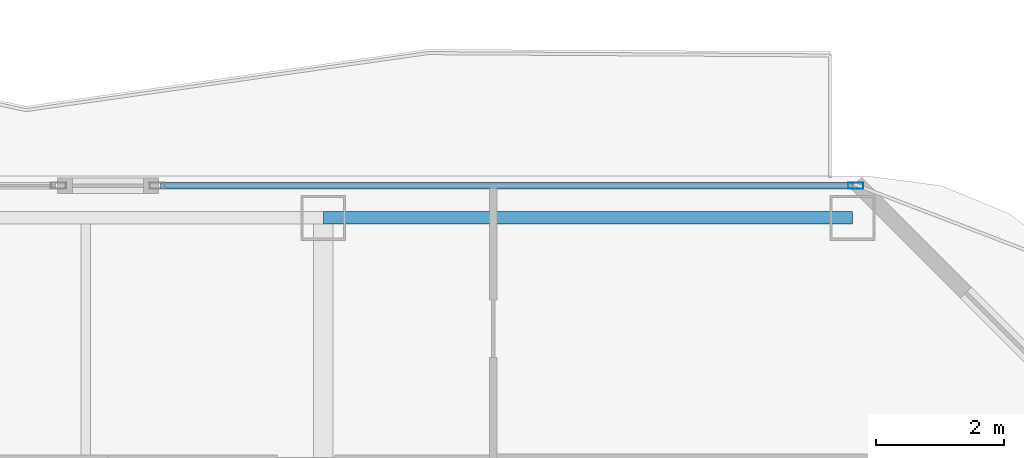
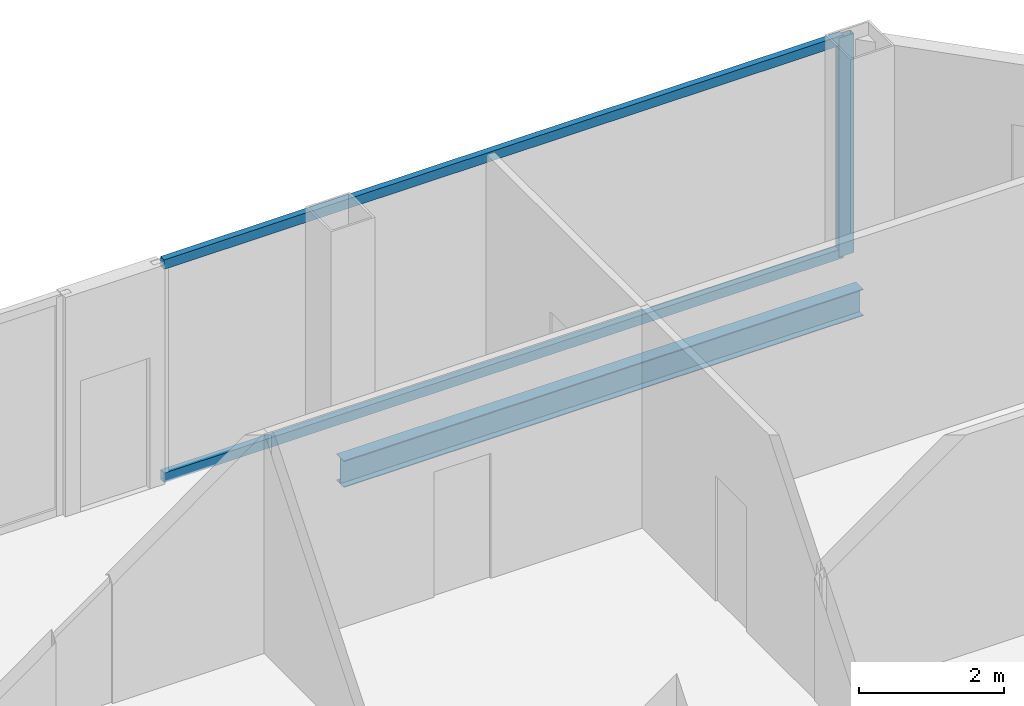
# One storey, part 18 of 27: 3 members, 1 beam, 1 element without a shape of its own.
"""IFC4 building model written with IfcOpenShell, lengths in metres."""

from ifc_helpers import new_model, si_unit, direction, frame, origin, origin_2d, place, context, subcontext, project, spatial, hollow_rectangle, i_section, extrude, material, layer, layer_set, material_profile, profile_set, type_object, element, aggregate, save


model = new_model("IFC4")

# Units and contexts
model_context = context("Model", 3, precision=1e-05, world=origin(), true_north=direction((0.0, 1.0)))
body_context = subcontext(model_context, "Body", "Model", "MODEL_VIEW")
ifc_project = project(units=[si_unit("LENGTHUNIT", "METRE"), si_unit("AREAUNIT", "SQUARE_METRE"), si_unit("VOLUMEUNIT", "CUBIC_METRE"), si_unit("PLANEANGLEUNIT", "RADIAN"), si_unit("MASSUNIT", "GRAM", prefix="KILO")], contexts=[model_context])

# Site, building, storey
site_placement = place(None, origin())
site = spatial("IfcSite", under=ifc_project, at=site_placement, CompositionType="ELEMENT")
building_placement = place(site_placement, origin())
building = spatial("IfcBuilding", under=site, at=building_placement, Name="Khorvyn Point Tower", CompositionType="ELEMENT")
storey_placement = place(building_placement, frame((0.0, 0.0, 125.10009765625)))
storey = spatial("IfcBuildingStorey", under=building, at=storey_placement, Name="L31", CompositionType="ELEMENT", Elevation=125.10009765625)

# Curtain wall, members
ifc_material_1 = material(Name="Anodised aluminium 6063-T6 and laminated Low-E glass", Category="aluminium")
ifc_layer = layer(ifc_material_1, 0.18994140625)
ifc_layer_set = layer_set([ifc_layer], Name="Stick-Built Acoustic Curtain Wall CW-SYS-03")
curtain_wall_type = type_object("IfcCurtainWallType", Name="Stick-Built Acoustic Curtain Wall CW-SYS-03", PredefinedType="NOTDEFINED", material=ifc_layer_set)
curtain_wall_placement = place(storey_placement, origin())
curtain_wall = element("IfcCurtainWall", 1, at=curtain_wall_placement, inside=storey, type_object=curtain_wall_type, Name="Curtain Wall", PredefinedType="NOTDEFINED")
ifc_material_2 = material(Name="Anodised aluminium 6063-T6", Category="aluminium")
ifc_material_profile_1 = material_profile(ifc_material_2, hollow_rectangle(XDim=0.10009765625, YDim=0.239990234375, WallThickness=0.0048828125, at=origin_2d()))
ifc_profile_set_1 = profile_set([ifc_material_profile_1], Name="Anodised aluminium 6063-T6 ALU-MUL-100x240")
member_type_1 = type_object("IfcMemberType", Name="Anodised Aluminium 6063-T6 Mullion ALU-MUL-100x240", PredefinedType="MULLION", material=ifc_profile_set_1)
member_1_placement = place(storey_placement, frame((23.10009765625, 29.449951171875, 0.0), z_axis=(0.0, 0.0, 1.0), x_axis=(0.0, 1.0, 0.0)))
member_1 = element("IfcMember", 2, at=member_1_placement, type_object=member_type_1, Name="Transom", PredefinedType="MULLION", context=body_context, shape_type="SweptSolid", body=[
    extrude(hollow_rectangle(XDim=0.10009765625, YDim=0.239990234375, WallThickness=0.0048828125, at=origin_2d()), origin(), (0.0, 0.0, 1.0), 3.679931640625),
])
ifc_material_profile_2 = material_profile(ifc_material_2, hollow_rectangle(XDim=0.10009765625, YDim=0.159912109375, WallThickness=0.00439453125, at=origin_2d()))
ifc_profile_set_2 = profile_set([ifc_material_profile_2], Name="Anodised aluminium 6063-T6 ALU-TRN-100x160")
member_type_2 = type_object("IfcMemberType", Name="Anodised Aluminium 6063-T6 Transom ALU-TRN-100x160", PredefinedType="USERDEFINED", material=ifc_profile_set_2)
member_2_placement = place(storey_placement, frame((12.263916015625, 29.449951171875, 0.0498046875), z_axis=(1.0, 0.0, 0.0), x_axis=(0.0, 1.0, 0.0)))
member_2 = element("IfcMember", 3, at=member_2_placement, type_object=member_type_2, Name="Transom", ObjectType="TRANSOM", PredefinedType="USERDEFINED", context=body_context, shape_type="SweptSolid", body=[
    extrude(hollow_rectangle(XDim=0.10009765625, YDim=0.159912109375, WallThickness=0.00439453125, at=origin_2d()), origin(), (0.0, 0.0, 1.0), 10.7861328125),
])
member_3_placement = place(storey_placement, frame((12.263916015625, 29.449951171875, 3.6298828125), z_axis=(1.0, 0.0, 0.0), x_axis=(0.0, 1.0, 0.0)))
member_3 = element("IfcMember", 4, at=member_3_placement, type_object=member_type_2, Name="Transom", ObjectType="TRANSOM", PredefinedType="USERDEFINED", context=body_context, shape_type="SweptSolid", body=[
    extrude(hollow_rectangle(XDim=0.10009765625, YDim=0.159912109375, WallThickness=0.00439453125, at=origin_2d()), origin(), (0.0, 0.0, 1.0), 10.7861328125),
])
aggregate(curtain_wall, [member_1, member_2, member_3])

# Beam
ifc_material_3 = material(Name="Steel S355", Category="steel")
ifc_material_profile_3 = material_profile(ifc_material_3, i_section(OverallWidth=0.199951171875, OverallDepth=0.449951171875, WebThickness=0.009033203125, FlangeThickness=0.013916015625, at=origin_2d()))
ifc_profile_set_3 = profile_set([ifc_material_profile_3], Name="Steel S355 H450x200x9x14")
beam_type = type_object("IfcBeamType", Name="Steel S355 Spandrel H450x200x9x14", PredefinedType="SPANDREL", material=ifc_profile_set_3)
beam_placement = place(storey_placement, frame((14.800048828125, 28.949951171875, -0.445068359375), z_axis=(1.0, 0.0, 0.0), x_axis=(0.0, 1.0, 0.0)))
element("IfcBeam", 5, at=beam_placement, inside=storey, type_object=beam_type, Name="Beam", PredefinedType="SPANDREL", context=body_context, shape_type="SweptSolid", body=[
    extrude(i_section(OverallWidth=0.199951171875, OverallDepth=0.449951171875, WebThickness=0.009033203125, FlangeThickness=0.013916015625, at=origin_2d()), origin(), (0.0, 0.0, 1.0), 8.25),
])

save(model, "model.ifc")
